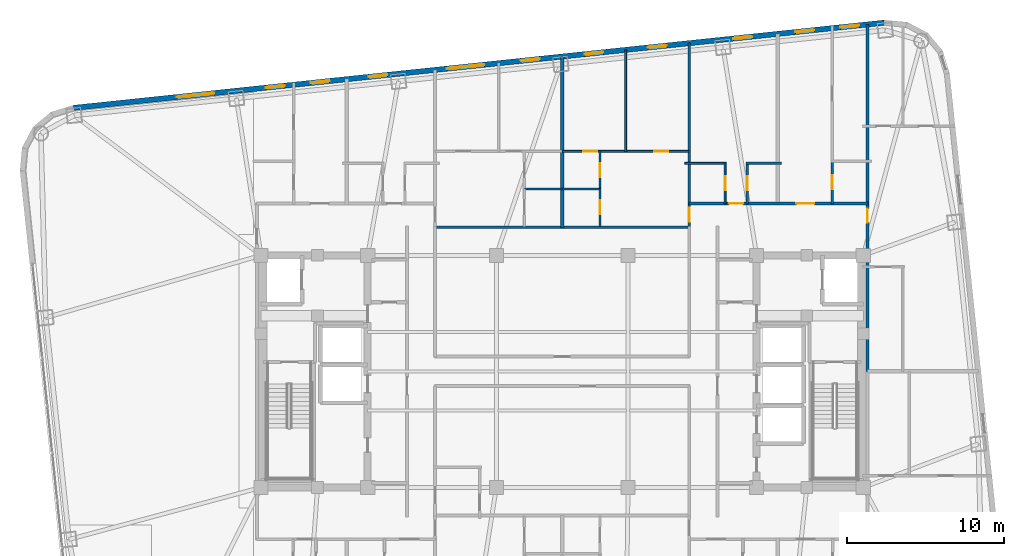
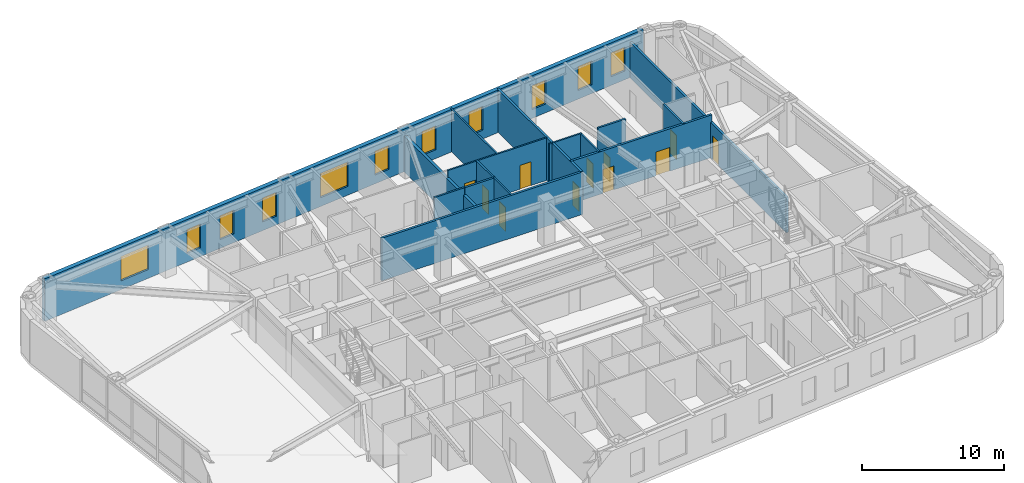
# One storey, part 11 of 15: 17 walls, 11 doors, 11 windows, 22 openings.
"""IFC4 building model written with IfcOpenShell, lengths in metres."""

from ifc_helpers import new_model, si_unit, direction, frame, frame_2d, origin, place, context, subcontext, project, spatial, rectangle, extrude, material, layer, layer_set, type_object, element, fill, save


model = new_model("IFC4")

# Units and contexts
model_context = context("Model", 3, precision=1e-05, world=origin(), true_north=direction((0.0, 1.0)))
body_context = subcontext(model_context, "Body", "Model", "MODEL_VIEW")
ifc_project = project(units=[si_unit("LENGTHUNIT", "METRE"), si_unit("AREAUNIT", "SQUARE_METRE"), si_unit("VOLUMEUNIT", "CUBIC_METRE"), si_unit("PLANEANGLEUNIT", "RADIAN"), si_unit("MASSUNIT", "GRAM", prefix="KILO")], contexts=[model_context])

# Site, building, storey
site_placement = place(None, origin())
site = spatial("IfcSite", under=ifc_project, at=site_placement, CompositionType="ELEMENT")
building_placement = place(site_placement, origin())
building = spatial("IfcBuilding", under=site, at=building_placement, Name="Voryun Gate Residences", CompositionType="ELEMENT")
storey_placement = place(building_placement, frame((0.0, 0.0, 148.199951171875)))
storey = spatial("IfcBuildingStorey", under=building, at=storey_placement, Name="L36", CompositionType="ELEMENT", Elevation=148.199951171875)

# Wall
ifc_material_1 = material(Name="Gypsum acoustic fireboard")
ifc_layer_1 = layer(ifc_material_1, 0.179931640625, Name="W_CORR_RATED_180")
ifc_layer_set_1 = layer_set([ifc_layer_1], Name="Gypsum acoustic fireboard")
wall_type_1 = type_object("IfcWallType", Name="W_CORR_RATED_180", PredefinedType="PARTITIONING", material=ifc_layer_set_1)
wall_1_placement = place(storey_placement, frame((-8.14990234375, 9.18994140625, 0.0), z_axis=(0.0, 0.0, 1.0), x_axis=(1.0, 0.0, 0.0)))
element("IfcWall", 1, at=wall_1_placement, inside=storey, type_object=wall_type_1, Name="Partition wall WP-L36-Z2N", PredefinedType="PARTITIONING", context=body_context, shape_type="SweptSolid", body=[
    extrude(rectangle(XDim=16.2998046875, YDim=0.179931640625, at=frame_2d((8.14990234375, 0.0))), origin(), (0.0, 0.0, 1.0), 3.650146484375),
])

# Wall, openings, doors
wall_2_placement = place(storey_placement, frame((8.080078125, 10.699951171875, 0.0), z_axis=(0.0, 0.0, 1.0), x_axis=(1.0, 0.0, 0.0)))
wall_2 = element("IfcWall", 2, at=wall_2_placement, inside=storey, type_object=wall_type_1, Name="Partition wall WP-L36-NCORR-E", PredefinedType="PARTITIONING", context=body_context, shape_type="SweptSolid", body=[
    extrude(rectangle(XDim=11.419921875, YDim=0.179931640625, at=frame_2d((5.7099609375, 0.0))), origin(), (0.0, 0.0, 1.0), 3.650146484375),
])
opening_1_placement = place(wall_2_placement, frame((2.5625, 0.0, 0.0)))
opening_1 = element("IfcOpeningElement", 3, at=opening_1_placement, cuts=wall_2, Name="Opening D-INT-2", PredefinedType="OPENING", context=body_context, shape_type="SweptSolid", body=[
    extrude(rectangle(XDim=0.89990234375, YDim=2.050048828125, at=frame_2d((0.449951171875, 1.02490234375))), frame((0.0, 0.099853515625, 0.0), z_axis=(0.0, -1.0, 0.0), x_axis=(1.0, 0.0, 0.0)), (0.0, 0.0, 1.0), 0.199951171875),
])
opening_2_placement = place(wall_2_placement, frame((6.8525390625, 0.0, 0.0)))
opening_2 = element("IfcOpeningElement", 4, at=opening_2_placement, cuts=wall_2, Name="Opening D-UNIT-1", PredefinedType="OPENING", context=body_context, shape_type="SweptSolid", body=[
    extrude(rectangle(XDim=1.14990234375, YDim=2.050048828125, at=frame_2d((0.574951171875, 1.02490234375))), frame((0.0, 0.099853515625, 0.0), z_axis=(0.0, -1.0, 0.0), x_axis=(1.0, 0.0, 0.0)), (0.0, 0.0, 1.0), 0.199951171875),
])
ifc_material_2 = material(Name="Architectural oak veneer")
door_type_1 = type_object("IfcDoorType", Name="DR_INT_BATH_900", OperationType="NOTDEFINED", PredefinedType="DOOR", material=ifc_material_2)
door_1_placement = place(opening_1_placement, origin())
door_1 = element("IfcDoor", 5, at=door_1_placement, inside=storey, type_object=door_type_1, Name="Door DR-L36-NENT-4", OperationType="SINGLE_SWING_RIGHT", OverallHeight=2.050048828125, OverallWidth=0.89990234375, PredefinedType="DOOR", context=body_context, shape_type="SweptSolid", body=[
    extrude(rectangle(XDim=0.89990234375, YDim=2.050048828125, at=frame_2d((0.449951171875, 1.02490234375))), frame((0.0, 0.02490234375, 0.0), z_axis=(0.0, -1.0, 0.0), x_axis=(1.0, 0.0, 0.0)), (0.0, 0.0, 1.0), 0.050048828125),
])
fill(opening_1, door_1)
ifc_material_3 = material(Name="Armoured timber-clad fire door", Category="wood")
door_type_2 = type_object("IfcDoorType", Name="DR_UNIT_ENTRY_1150", OperationType="NOTDEFINED", PredefinedType="DOOR", material=ifc_material_3)
door_2_placement = place(opening_2_placement, origin())
door_2 = element("IfcDoor", 6, at=door_2_placement, inside=storey, type_object=door_type_2, Name="Door DR-L36-NENT-5", OperationType="SINGLE_SWING_LEFT", OverallHeight=2.050048828125, OverallWidth=1.14990234375, PredefinedType="DOOR", context=body_context, shape_type="SweptSolid", body=[
    extrude(rectangle(XDim=1.14990234375, YDim=2.050048828125, at=frame_2d((0.574951171875, 1.02490234375))), frame((0.0, 0.02490234375, 0.0), z_axis=(0.0, -1.0, 0.0), x_axis=(1.0, 0.0, 0.0)), (0.0, 0.0, 1.0), 0.050048828125),
])
fill(opening_2, door_2)

# Wall, opening, door
wall_3_placement = place(storey_placement, frame((8.10009765625, 9.18994140625, 0.0), z_axis=(0.0, 0.0, 1.0), x_axis=(0.0, 1.0, 0.0)))
wall_3 = element("IfcWall", 7, at=wall_3_placement, inside=storey, type_object=wall_type_1, Name="Partition wall WP-L36-NZV-2", PredefinedType="PARTITIONING", context=body_context, shape_type="SweptSolid", body=[
    extrude(rectangle(XDim=11.7392578125, YDim=0.179931640625, at=frame_2d((5.86962890625, 0.0))), origin(), (0.0, 0.0, 1.0), 3.650146484375),
])
opening_3_placement = place(wall_3_placement, frame((0.349365234375, 0.0, 0.0)))
opening_3 = element("IfcOpeningElement", 8, at=opening_3_placement, cuts=wall_3, Name="Opening D-INT-2", PredefinedType="OPENING", context=body_context, shape_type="SweptSolid", body=[
    extrude(rectangle(XDim=0.89990234375, YDim=2.050048828125, at=frame_2d((0.449951171875, 1.02490234375))), frame((0.0, 0.099853515625, 0.0), z_axis=(0.0, -1.0, 0.0), x_axis=(1.0, 0.0, 0.0)), (0.0, 0.0, 1.0), 0.199951171875),
])
door_3_placement = place(opening_3_placement, origin())
door_3 = element("IfcDoor", 9, at=door_3_placement, inside=storey, type_object=door_type_1, Name="Door DR-L36-NZENT-2", OperationType="SINGLE_SWING_RIGHT", OverallHeight=2.050048828125, OverallWidth=0.89990234375, PredefinedType="DOOR", context=body_context, shape_type="SweptSolid", body=[
    extrude(rectangle(XDim=0.89990234375, YDim=2.050048828125, at=frame_2d((0.449951171875, 1.02490234375))), frame((0.0, 0.02490234375, 0.0), z_axis=(0.0, -1.0, 0.0), x_axis=(1.0, 0.0, 0.0)), (0.0, 0.0, 1.0), 0.050048828125),
])
fill(opening_3, door_3)

wall_4_placement = place(storey_placement, frame((19.469970703125, 0.0, 0.0), z_axis=(0.0, 0.0, 1.0), x_axis=(0.0, 1.0, 0.0)))
wall_4 = element("IfcWall", 10, at=wall_4_placement, inside=storey, type_object=wall_type_1, Name="Partition wall WP-L36-ECOR2", PredefinedType="PARTITIONING", context=body_context, shape_type="SweptSolid", body=[
    extrude(rectangle(XDim=22.1240234375, YDim=0.179931640625, at=frame_2d((11.06201171875, 0.0))), origin(), (0.0, 0.0, 1.0), 3.0400390625),
])
opening_4_placement = place(wall_4_placement, frame((9.479248046875, 0.0, 0.0)))
opening_4 = element("IfcOpeningElement", 11, at=opening_4_placement, cuts=wall_4, Name="Opening D-INT-2", PredefinedType="OPENING", context=body_context, shape_type="SweptSolid", body=[
    extrude(rectangle(XDim=0.89990234375, YDim=2.050048828125, at=frame_2d((0.449951171875, 1.02490234375))), frame((0.0, 0.099853515625, 0.0), z_axis=(0.0, -1.0, 0.0), x_axis=(1.0, 0.0, 0.0)), (0.0, 0.0, 1.0), 0.199951171875),
])
door_4_placement = place(opening_4_placement, origin())
door_4 = element("IfcDoor", 12, at=door_4_placement, inside=storey, type_object=door_type_1, Name="Door DR-L36-EE2", OperationType="SINGLE_SWING_RIGHT", OverallHeight=2.050048828125, OverallWidth=0.89990234375, PredefinedType="DOOR", context=body_context, shape_type="SweptSolid", body=[
    extrude(rectangle(XDim=0.89990234375, YDim=2.050048828125, at=frame_2d((0.449951171875, 1.02490234375))), frame((0.0, 0.02490234375, 0.0), z_axis=(0.0, -1.0, 0.0), x_axis=(1.0, 0.0, 0.0)), (0.0, 0.0, 1.0), 0.050048828125),
])
fill(opening_4, door_4)

# Wall, openings, windows
ifc_material_4 = material(Name="Charcoal terracotta masonry", Category="masonry")
ifc_layer_2 = layer(ifc_material_4, 0.340087890625, Name="W_EXT_TERRACOTTA_340")
ifc_layer_set_2 = layer_set([ifc_layer_2], Name="Charcoal terracotta masonry")
wall_type_2 = type_object("IfcWallType", Name="W_EXT_TERRACOTTA_340", PredefinedType="ELEMENTEDWALL", material=ifc_layer_set_2)
wall_5_placement = place(storey_placement, frame((-31.155517578125, 16.80322265625, 0.0), z_axis=(0.0, 0.0, 1.0), x_axis=(0.99452209583, 0.104526555986, 0.0)))
wall_5 = element("IfcWall", 13, at=wall_5_placement, inside=storey, type_object=wall_type_2, Name="Exterior wall WEXT-L36-11", PredefinedType="ELEMENTEDWALL", context=body_context, shape_type="SweptSolid", body=[
    extrude(rectangle(XDim=51.966552734375, YDim=0.340087890625, at=frame_2d((25.9833984375, 0.0))), origin(), (0.0, 0.0, 1.0), 3.650146484375),
])
opening_5_placement = place(wall_5_placement, frame((6.611083984375, 0.0, 0.75)))
opening_5 = element("IfcOpeningElement", 14, at=opening_5_placement, cuts=wall_5, Name="Opening WN2", PredefinedType="OPENING", context=body_context, shape_type="SweptSolid", body=[
    extrude(rectangle(XDim=2.39990234375, YDim=2.10009765625, at=frame_2d((1.199951171875, 1.050048828125))), frame((0.0, 0.179931640625, 0.0), z_axis=(0.0, -1.0, 0.0), x_axis=(1.0, 0.0, 0.0)), (0.0, 0.0, 1.0), 0.360107421875),
])
opening_6_placement = place(wall_5_placement, frame((23.93310546875, 0.0, 0.75)))
opening_6 = element("IfcOpeningElement", 15, at=opening_6_placement, cuts=wall_5, Name="Opening WN2", PredefinedType="OPENING", context=body_context, shape_type="SweptSolid", body=[
    extrude(rectangle(XDim=2.39990234375, YDim=2.10009765625, at=frame_2d((1.199951171875, 1.050048828125))), frame((0.0, 0.179931640625, 0.0), z_axis=(0.0, -1.0, 0.0), x_axis=(1.0, 0.0, 0.0)), (0.0, 0.0, 1.0), 0.360107421875),
])
opening_7_placement = place(wall_5_placement, frame((15.209228515625, 0.0, 0.75)))
opening_7 = element("IfcOpeningElement", 16, at=opening_7_placement, cuts=wall_5, Name="Opening WN6", PredefinedType="OPENING", context=body_context, shape_type="SweptSolid", body=[
    extrude(rectangle(XDim=1.199951171875, YDim=2.050048828125, at=frame_2d((0.60009765625, 1.02490234375))), frame((0.0, 0.179931640625, 0.0), z_axis=(0.0, -1.0, 0.0), x_axis=(1.0, 0.0, 0.0)), (0.0, 0.0, 1.0), 0.360107421875),
])
opening_8_placement = place(wall_5_placement, frame((12.33349609375, 0.0, 0.75)))
opening_8 = element("IfcOpeningElement", 17, at=opening_8_placement, cuts=wall_5, Name="Opening WN6", PredefinedType="OPENING", context=body_context, shape_type="SweptSolid", body=[
    extrude(rectangle(XDim=1.199951171875, YDim=2.050048828125, at=frame_2d((0.60009765625, 1.02490234375))), frame((0.0, 0.179931640625, 0.0), z_axis=(0.0, -1.0, 0.0), x_axis=(1.0, 0.0, 0.0)), (0.0, 0.0, 1.0), 0.360107421875),
])
opening_9_placement = place(wall_5_placement, frame((18.914794921875, 0.0, 0.75)))
opening_9 = element("IfcOpeningElement", 18, at=opening_9_placement, cuts=wall_5, Name="Opening WN6", PredefinedType="OPENING", context=body_context, shape_type="SweptSolid", body=[
    extrude(rectangle(XDim=1.199951171875, YDim=2.050048828125, at=frame_2d((0.60009765625, 1.02490234375))), frame((0.0, 0.179931640625, 0.0), z_axis=(0.0, -1.0, 0.0), x_axis=(1.0, 0.0, 0.0)), (0.0, 0.0, 1.0), 0.360107421875),
])
opening_10_placement = place(wall_5_placement, frame((42.294921875, 0.0, 0.75)))
opening_10 = element("IfcOpeningElement", 19, at=opening_10_placement, cuts=wall_5, Name="Opening WN6", PredefinedType="OPENING", context=body_context, shape_type="SweptSolid", body=[
    extrude(rectangle(XDim=1.199951171875, YDim=2.050048828125, at=frame_2d((0.60009765625, 1.02490234375))), frame((0.0, 0.179931640625, 0.0), z_axis=(0.0, -1.0, 0.0), x_axis=(1.0, 0.0, 0.0)), (0.0, 0.0, 1.0), 0.360107421875),
])
opening_11_placement = place(wall_5_placement, frame((46.2880859375, 0.0, 0.75)))
opening_11 = element("IfcOpeningElement", 20, at=opening_11_placement, cuts=wall_5, Name="Opening WN6", PredefinedType="OPENING", context=body_context, shape_type="SweptSolid", body=[
    extrude(rectangle(XDim=1.199951171875, YDim=2.050048828125, at=frame_2d((0.60009765625, 1.02490234375))), frame((0.0, 0.179931640625, 0.0), z_axis=(0.0, -1.0, 0.0), x_axis=(1.0, 0.0, 0.0)), (0.0, 0.0, 1.0), 0.360107421875),
])
opening_12_placement = place(wall_5_placement, frame((49.163818359375, 0.0, 0.75)))
opening_12 = element("IfcOpeningElement", 21, at=opening_12_placement, cuts=wall_5, Name="Opening WN6", PredefinedType="OPENING", context=body_context, shape_type="SweptSolid", body=[
    extrude(rectangle(XDim=1.199951171875, YDim=2.050048828125, at=frame_2d((0.60009765625, 1.02490234375))), frame((0.0, 0.179931640625, 0.0), z_axis=(0.0, -1.0, 0.0), x_axis=(1.0, 0.0, 0.0)), (0.0, 0.0, 1.0), 0.360107421875),
])
opening_13_placement = place(wall_5_placement, frame((28.68359375, 0.0, 0.75)))
opening_13 = element("IfcOpeningElement", 22, at=opening_13_placement, cuts=wall_5, Name="Opening WN6", PredefinedType="OPENING", context=body_context, shape_type="SweptSolid", body=[
    extrude(rectangle(XDim=1.199951171875, YDim=2.050048828125, at=frame_2d((0.60009765625, 1.02490234375))), frame((0.0, 0.179931640625, 0.0), z_axis=(0.0, -1.0, 0.0), x_axis=(1.0, 0.0, 0.0)), (0.0, 0.0, 1.0), 0.360107421875),
])
opening_14_placement = place(wall_5_placement, frame((32.76611328125, 0.0, 0.75)))
opening_14 = element("IfcOpeningElement", 23, at=opening_14_placement, cuts=wall_5, Name="Opening WN6", PredefinedType="OPENING", context=body_context, shape_type="SweptSolid", body=[
    extrude(rectangle(XDim=1.199951171875, YDim=2.050048828125, at=frame_2d((0.60009765625, 1.02490234375))), frame((0.0, 0.179931640625, 0.0), z_axis=(0.0, -1.0, 0.0), x_axis=(1.0, 0.0, 0.0)), (0.0, 0.0, 1.0), 0.360107421875),
])
opening_15_placement = place(wall_5_placement, frame((36.828369140625, 0.0, 0.75)))
opening_15 = element("IfcOpeningElement", 24, at=opening_15_placement, cuts=wall_5, Name="Opening WN6", PredefinedType="OPENING", context=body_context, shape_type="SweptSolid", body=[
    extrude(rectangle(XDim=1.199951171875, YDim=2.050048828125, at=frame_2d((0.60009765625, 1.02490234375))), frame((0.0, 0.179931640625, 0.0), z_axis=(0.0, -1.0, 0.0), x_axis=(1.0, 0.0, 0.0)), (0.0, 0.0, 1.0), 0.360107421875),
])
ifc_material_5 = material(Name="Laminated low-E glass", Category="glass")
window_type_1 = type_object("IfcWindowType", Name="WN_POD_SLOT_1200", PartitioningType="SINGLE_PANEL", PredefinedType="WINDOW", material=ifc_material_5)
window_1_placement = place(opening_7_placement, origin())
window_1 = element("IfcWindow", 25, at=window_1_placement, inside=storey, type_object=window_type_1, Name="Window WN-L36-DWFIX-01", OverallHeight=2.050048828125, OverallWidth=1.199951171875, PartitioningType="SINGLE_PANEL", PredefinedType="WINDOW", context=body_context, shape_type="SweptSolid", body=[
    extrude(rectangle(XDim=1.199951171875, YDim=2.050048828125, at=frame_2d((0.60009765625, 1.02490234375))), frame((0.0, 0.030029296875, 0.0), z_axis=(0.0, -1.0, 0.0), x_axis=(1.0, 0.0, 0.0)), (0.0, 0.0, 1.0), 0.06005859375),
])
fill(opening_7, window_1)
window_2_placement = place(opening_8_placement, origin())
window_2 = element("IfcWindow", 26, at=window_2_placement, inside=storey, type_object=window_type_1, Name="Window WN-L36-DWFIX-02", OverallHeight=2.050048828125, OverallWidth=1.199951171875, PartitioningType="SINGLE_PANEL", PredefinedType="WINDOW", context=body_context, shape_type="SweptSolid", body=[
    extrude(rectangle(XDim=1.199951171875, YDim=2.050048828125, at=frame_2d((0.60009765625, 1.02490234375))), frame((0.0, 0.030029296875, 0.0), z_axis=(0.0, -1.0, 0.0), x_axis=(1.0, 0.0, 0.0)), (0.0, 0.0, 1.0), 0.06005859375),
])
fill(opening_8, window_2)
window_3_placement = place(opening_9_placement, origin())
window_3 = element("IfcWindow", 27, at=window_3_placement, inside=storey, type_object=window_type_1, Name="Window WN-L36-DWFIX-03", OverallHeight=2.050048828125, OverallWidth=1.199951171875, PartitioningType="SINGLE_PANEL", PredefinedType="WINDOW", context=body_context, shape_type="SweptSolid", body=[
    extrude(rectangle(XDim=1.199951171875, YDim=2.050048828125, at=frame_2d((0.60009765625, 1.02490234375))), frame((0.0, 0.030029296875, 0.0), z_axis=(0.0, -1.0, 0.0), x_axis=(1.0, 0.0, 0.0)), (0.0, 0.0, 1.0), 0.06005859375),
])
fill(opening_9, window_3)
window_4_placement = place(opening_10_placement, origin())
window_4 = element("IfcWindow", 28, at=window_4_placement, inside=storey, type_object=window_type_1, Name="Window WN-L36-DWFIX-04", OverallHeight=2.050048828125, OverallWidth=1.199951171875, PartitioningType="SINGLE_PANEL", PredefinedType="WINDOW", context=body_context, shape_type="SweptSolid", body=[
    extrude(rectangle(XDim=1.199951171875, YDim=2.050048828125, at=frame_2d((0.60009765625, 1.02490234375))), frame((0.0, 0.030029296875, 0.0), z_axis=(0.0, -1.0, 0.0), x_axis=(1.0, 0.0, 0.0)), (0.0, 0.0, 1.0), 0.06005859375),
])
fill(opening_10, window_4)
window_5_placement = place(opening_11_placement, origin())
window_5 = element("IfcWindow", 29, at=window_5_placement, inside=storey, type_object=window_type_1, Name="Window WN-L36-DWFIX-05", OverallHeight=2.050048828125, OverallWidth=1.199951171875, PartitioningType="SINGLE_PANEL", PredefinedType="WINDOW", context=body_context, shape_type="SweptSolid", body=[
    extrude(rectangle(XDim=1.199951171875, YDim=2.050048828125, at=frame_2d((0.60009765625, 1.02490234375))), frame((0.0, 0.030029296875, 0.0), z_axis=(0.0, -1.0, 0.0), x_axis=(1.0, 0.0, 0.0)), (0.0, 0.0, 1.0), 0.06005859375),
])
fill(opening_11, window_5)
window_6_placement = place(opening_12_placement, origin())
window_6 = element("IfcWindow", 30, at=window_6_placement, inside=storey, type_object=window_type_1, Name="Window WN-L36-DWFIX-06", OverallHeight=2.050048828125, OverallWidth=1.199951171875, PartitioningType="SINGLE_PANEL", PredefinedType="WINDOW", context=body_context, shape_type="SweptSolid", body=[
    extrude(rectangle(XDim=1.199951171875, YDim=2.050048828125, at=frame_2d((0.60009765625, 1.02490234375))), frame((0.0, 0.030029296875, 0.0), z_axis=(0.0, -1.0, 0.0), x_axis=(1.0, 0.0, 0.0)), (0.0, 0.0, 1.0), 0.06005859375),
])
fill(opening_12, window_6)
window_7_placement = place(opening_13_placement, origin())
window_7 = element("IfcWindow", 31, at=window_7_placement, inside=storey, type_object=window_type_1, Name="Window WN-L36-DWFIX-07", OverallHeight=2.050048828125, OverallWidth=1.199951171875, PartitioningType="SINGLE_PANEL", PredefinedType="WINDOW", context=body_context, shape_type="SweptSolid", body=[
    extrude(rectangle(XDim=1.199951171875, YDim=2.050048828125, at=frame_2d((0.60009765625, 1.02490234375))), frame((0.0, 0.030029296875, 0.0), z_axis=(0.0, -1.0, 0.0), x_axis=(1.0, 0.0, 0.0)), (0.0, 0.0, 1.0), 0.06005859375),
])
fill(opening_13, window_7)
window_8_placement = place(opening_14_placement, origin())
window_8 = element("IfcWindow", 32, at=window_8_placement, inside=storey, type_object=window_type_1, Name="Window WN-L36-DWFIX-08", OverallHeight=2.050048828125, OverallWidth=1.199951171875, PartitioningType="SINGLE_PANEL", PredefinedType="WINDOW", context=body_context, shape_type="SweptSolid", body=[
    extrude(rectangle(XDim=1.199951171875, YDim=2.050048828125, at=frame_2d((0.60009765625, 1.02490234375))), frame((0.0, 0.030029296875, 0.0), z_axis=(0.0, -1.0, 0.0), x_axis=(1.0, 0.0, 0.0)), (0.0, 0.0, 1.0), 0.06005859375),
])
fill(opening_14, window_8)
window_9_placement = place(opening_15_placement, origin())
window_9 = element("IfcWindow", 33, at=window_9_placement, inside=storey, type_object=window_type_1, Name="Window WN-L36-DWFIX-09", OverallHeight=2.050048828125, OverallWidth=1.199951171875, PartitioningType="SINGLE_PANEL", PredefinedType="WINDOW", context=body_context, shape_type="SweptSolid", body=[
    extrude(rectangle(XDim=1.199951171875, YDim=2.050048828125, at=frame_2d((0.60009765625, 1.02490234375))), frame((0.0, 0.030029296875, 0.0), z_axis=(0.0, -1.0, 0.0), x_axis=(1.0, 0.0, 0.0)), (0.0, 0.0, 1.0), 0.06005859375),
])
fill(opening_15, window_9)
ifc_material_6 = material(Name="Laminated low-E glass", Category="glass")
window_type_2 = type_object("IfcWindowType", Name="WN_RES_WIDE_2400", PartitioningType="SINGLE_PANEL", PredefinedType="WINDOW", material=ifc_material_6)
window_10_placement = place(opening_5_placement, origin())
window_10 = element("IfcWindow", 34, at=window_10_placement, inside=storey, type_object=window_type_2, Name="Window WN-WEXT-L36-11-01", OverallHeight=2.10009765625, OverallWidth=2.39990234375, PartitioningType="SINGLE_PANEL", PredefinedType="WINDOW", context=body_context, shape_type="SweptSolid", body=[
    extrude(rectangle(XDim=2.39990234375, YDim=2.10009765625, at=frame_2d((1.199951171875, 1.050048828125))), frame((0.0, 0.030029296875, 0.0), z_axis=(0.0, -1.0, 0.0), x_axis=(1.0, 0.0, 0.0)), (0.0, 0.0, 1.0), 0.06005859375),
])
fill(opening_5, window_10)
window_11_placement = place(opening_6_placement, origin())
window_11 = element("IfcWindow", 35, at=window_11_placement, inside=storey, type_object=window_type_2, Name="Window WN-WEXT-L36-11-02", OverallHeight=2.10009765625, OverallWidth=2.39990234375, PartitioningType="SINGLE_PANEL", PredefinedType="WINDOW", context=body_context, shape_type="SweptSolid", body=[
    extrude(rectangle(XDim=2.39990234375, YDim=2.10009765625, at=frame_2d((1.199951171875, 1.050048828125))), frame((0.0, 0.030029296875, 0.0), z_axis=(0.0, -1.0, 0.0), x_axis=(1.0, 0.0, 0.0)), (0.0, 0.0, 1.0), 0.06005859375),
])
fill(opening_6, window_11)

# Wall
ifc_material_7 = material(Name="Concrete C40/50", Category="concrete")
ifc_layer_3 = layer(ifc_material_7, 0.219970703125, Name="W_PARTY_ACOUSTIC_220")
ifc_layer_set_3 = layer_set([ifc_layer_3], Name="Concrete C40/50")
wall_type_3 = type_object("IfcWallType", Name="W_PARTY_ACOUSTIC_220", PredefinedType="PARTITIONING", material=ifc_layer_set_3)
wall_6_placement = place(storey_placement, frame((0.0, 9.18994140625, 0.0), z_axis=(0.0, 0.0, 1.0), x_axis=(0.0, 1.0, 0.0)))
element("IfcWall", 36, at=wall_6_placement, inside=storey, type_object=wall_type_3, Name="Partition wall WP-L36-NZMID", PredefinedType="PARTITIONING", context=body_context, shape_type="SweptSolid", body=[
    extrude(rectangle(XDim=10.887939453125, YDim=0.219970703125, at=frame_2d((5.44384765625, 0.0))), origin(), (0.0, 0.0, 1.0), 3.0400390625),
])

# Wall, opening, door
ifc_material_8 = material(Name="Gypsum acoustic partition")
ifc_layer_4 = layer(ifc_material_8, 0.125, Name="W_UNIT_PART_125")
ifc_layer_set_4 = layer_set([ifc_layer_4], Name="Gypsum acoustic partition")
wall_type_4 = type_object("IfcWallType", Name="W_UNIT_PART_125", PredefinedType="PARTITIONING", material=ifc_layer_set_4)
wall_7_placement = place(storey_placement, frame((10.389892578125, 10.679931640625, 0.0), z_axis=(0.0, 0.0, 1.0), x_axis=(0.0, 1.0, 0.0)))
wall_7 = element("IfcWall", 37, at=wall_7_placement, inside=storey, type_object=wall_type_4, Name="Partition wall WP-L36-N4-CVK", PredefinedType="PARTITIONING", context=body_context, shape_type="SweptSolid", body=[
    extrude(rectangle(XDim=2.650146484375, YDim=0.125, at=frame_2d((1.3251953125, 0.0))), origin(), (0.0, 0.0, 1.0), 3.650146484375),
])
opening_16_placement = place(wall_7_placement, frame((0.875, 0.0, 0.0)))
opening_16 = element("IfcOpeningElement", 38, at=opening_16_placement, cuts=wall_7, Name="Opening D-INT-2", PredefinedType="OPENING", context=body_context, shape_type="SweptSolid", body=[
    extrude(rectangle(XDim=0.89990234375, YDim=2.050048828125, at=frame_2d((0.449951171875, 1.02490234375))), frame((0.0, 0.072509765625, 0.0), z_axis=(0.0, -1.0, 0.0), x_axis=(1.0, 0.0, 0.0)), (0.0, 0.0, 1.0), 0.14501953125),
])
door_5_placement = place(opening_16_placement, origin())
door_5 = element("IfcDoor", 39, at=door_5_placement, inside=storey, type_object=door_type_1, Name="Door DR-L36-N4-DK", OperationType="SINGLE_SWING_LEFT", OverallHeight=2.050048828125, OverallWidth=0.89990234375, PredefinedType="DOOR", context=body_context, shape_type="SweptSolid", body=[
    extrude(rectangle(XDim=0.89990234375, YDim=2.050048828125, at=frame_2d((0.449951171875, 1.02490234375))), frame((0.0, 0.02490234375, 0.0), z_axis=(0.0, -1.0, 0.0), x_axis=(1.0, 0.0, 0.0)), (0.0, 0.0, 1.0), 0.050048828125),
])
fill(opening_16, door_5)

# Wall
wall_8_placement = place(storey_placement, frame((7.820068359375, 13.27001953125, 0.0), z_axis=(0.0, 0.0, 1.0), x_axis=(1.0, 0.0, 0.0)))
element("IfcWall", 40, at=wall_8_placement, inside=storey, type_object=wall_type_4, Name="Partition wall WP-L36-N4-CHK", PredefinedType="PARTITIONING", context=body_context, shape_type="SweptSolid", body=[
    extrude(rectangle(XDim=2.6298828125, YDim=0.125, at=frame_2d((1.31494140625, 0.0))), origin(), (0.0, 0.0, 1.0), 3.650146484375),
])

# Wall, openings, doors
wall_9_placement = place(storey_placement, frame((0.02001953125, 14.030029296875, 0.0), z_axis=(0.0, 0.0, 1.0), x_axis=(1.0, 0.0, 0.0)))
wall_9 = element("IfcWall", 41, at=wall_9_placement, inside=storey, type_object=wall_type_4, Name="Partition wall WP-L36-NC2-HZ", PredefinedType="PARTITIONING", context=body_context, shape_type="SweptSolid", body=[
    extrude(rectangle(XDim=8.06005859375, YDim=0.125, at=frame_2d((4.030029296875, 0.0))), origin(), (0.0, 0.0, 1.0), 3.650146484375),
])
opening_17_placement = place(wall_9_placement, frame((1.3232421875, 0.0, 0.0)))
opening_17 = element("IfcOpeningElement", 42, at=opening_17_placement, cuts=wall_9, Name="Opening D-INT-2", PredefinedType="OPENING", context=body_context, shape_type="SweptSolid", body=[
    extrude(rectangle(XDim=0.89990234375, YDim=2.050048828125, at=frame_2d((0.449951171875, 1.02490234375))), frame((0.0, 0.072509765625, 0.0), z_axis=(0.0, -1.0, 0.0), x_axis=(1.0, 0.0, 0.0)), (0.0, 0.0, 1.0), 0.14501953125),
])
opening_18_placement = place(wall_9_placement, frame((5.8369140625, 0.0, 0.0)))
opening_18 = element("IfcOpeningElement", 43, at=opening_18_placement, cuts=wall_9, Name="Opening D-INT-2", PredefinedType="OPENING", context=body_context, shape_type="SweptSolid", body=[
    extrude(rectangle(XDim=0.89990234375, YDim=2.050048828125, at=frame_2d((0.449951171875, 1.02490234375))), frame((0.0, 0.072509765625, 0.0), z_axis=(0.0, -1.0, 0.0), x_axis=(1.0, 0.0, 0.0)), (0.0, 0.0, 1.0), 0.14501953125),
])
door_6_placement = place(opening_17_placement, origin())
door_6 = element("IfcDoor", 44, at=door_6_placement, inside=storey, type_object=door_type_1, Name="Door DR-L36-NC2-DMB", OperationType="SINGLE_SWING_LEFT", OverallHeight=2.050048828125, OverallWidth=0.89990234375, PredefinedType="DOOR", context=body_context, shape_type="SweptSolid", body=[
    extrude(rectangle(XDim=0.89990234375, YDim=2.050048828125, at=frame_2d((0.449951171875, 1.02490234375))), frame((0.0, 0.02490234375, 0.0), z_axis=(0.0, -1.0, 0.0), x_axis=(1.0, 0.0, 0.0)), (0.0, 0.0, 1.0), 0.050048828125),
])
fill(opening_17, door_6)
door_7_placement = place(opening_18_placement, origin())
door_7 = element("IfcDoor", 45, at=door_7_placement, inside=storey, type_object=door_type_1, Name="Door DR-L36-NC2-DBD2", OperationType="SINGLE_SWING_RIGHT", OverallHeight=2.050048828125, OverallWidth=0.89990234375, PredefinedType="DOOR", context=body_context, shape_type="SweptSolid", body=[
    extrude(rectangle(XDim=0.89990234375, YDim=2.050048828125, at=frame_2d((0.449951171875, 1.02490234375))), frame((0.0, 0.02490234375, 0.0), z_axis=(0.0, -1.0, 0.0), x_axis=(1.0, 0.0, 0.0)), (0.0, 0.0, 1.0), 0.050048828125),
])
fill(opening_18, door_7)

# Wall, opening, door
wall_10_placement = place(storey_placement, frame((2.409912109375, 9.25, 0.0), z_axis=(0.0, 0.0, 1.0), x_axis=(0.0, 1.0, 0.0)))
wall_10 = element("IfcWall", 46, at=wall_10_placement, inside=storey, type_object=wall_type_4, Name="Partition wall WP-L36-NC2-VK1", PredefinedType="PARTITIONING", context=body_context, shape_type="SweptSolid", body=[
    extrude(rectangle(XDim=2.409912109375, YDim=0.125, at=frame_2d((1.205078125, 0.0))), origin(), (0.0, 0.0, 1.0), 3.650146484375),
])
opening_19_placement = place(wall_10_placement, frame((0.7548828125, 0.0, 0.0)))
opening_19 = element("IfcOpeningElement", 47, at=opening_19_placement, cuts=wall_10, Name="Opening D-INT-2", PredefinedType="OPENING", context=body_context, shape_type="SweptSolid", body=[
    extrude(rectangle(XDim=0.89990234375, YDim=2.050048828125, at=frame_2d((0.449951171875, 1.02490234375))), frame((0.0, 0.072509765625, 0.0), z_axis=(0.0, -1.0, 0.0), x_axis=(1.0, 0.0, 0.0)), (0.0, 0.0, 1.0), 0.14501953125),
])
door_8_placement = place(opening_19_placement, origin())
door_8 = element("IfcDoor", 48, at=door_8_placement, inside=storey, type_object=door_type_1, Name="Door DR-L36-NC2-DK", OperationType="SINGLE_SWING_LEFT", OverallHeight=2.050048828125, OverallWidth=0.89990234375, PredefinedType="DOOR", context=body_context, shape_type="SweptSolid", body=[
    extrude(rectangle(XDim=0.89990234375, YDim=2.050048828125, at=frame_2d((0.449951171875, 1.02490234375))), frame((0.0, 0.02490234375, 0.0), z_axis=(0.0, -1.0, 0.0), x_axis=(1.0, 0.0, 0.0)), (0.0, 0.0, 1.0), 0.050048828125),
])
fill(opening_19, door_8)

# Wall
wall_11_placement = place(storey_placement, frame((4.050048828125, 13.989990234375, 0.0), z_axis=(0.0, 0.0, 1.0), x_axis=(0.0, 1.0, 0.0)))
element("IfcWall", 49, at=wall_11_placement, inside=storey, type_object=wall_type_4, Name="Partition wall WP-L36-NC2-VBD", PredefinedType="PARTITIONING", context=body_context, shape_type="SweptSolid", body=[
    extrude(rectangle(XDim=6.513427734375, YDim=0.125, at=frame_2d((3.2568359375, 0.0))), origin(), (0.0, 0.0, 1.0), 3.650146484375),
])

# Wall, opening, door
ifc_material_9 = material(Name="Gypsum moisture-resistant partition")
ifc_layer_5 = layer(ifc_material_9, 0.14990234375, Name="W_WET_PLUMB_150")
ifc_layer_set_5 = layer_set([ifc_layer_5], Name="Gypsum moisture-resistant partition")
wall_type_5 = type_object("IfcWallType", Name="W_WET_PLUMB_150", PredefinedType="PLUMBINGWALL", material=ifc_layer_set_5)
wall_12_placement = place(storey_placement, frame((11.7958984375, 10.679931640625, 0.0), z_axis=(0.0, 0.0, 1.0), x_axis=(0.0, 1.0, 0.0)))
wall_12 = element("IfcWall", 50, at=wall_12_placement, inside=storey, type_object=wall_type_5, Name="Partition wall WP-L36-N4-CVB", PredefinedType="PLUMBINGWALL", context=body_context, shape_type="SweptSolid", body=[
    extrude(rectangle(XDim=2.650146484375, YDim=0.14990234375, at=frame_2d((1.3251953125, 0.0))), origin(), (0.0, 0.0, 1.0), 3.0400390625),
])
opening_20_placement = place(wall_12_placement, frame((0.875, 0.0, 0.0)))
opening_20 = element("IfcOpeningElement", 51, at=opening_20_placement, cuts=wall_12, Name="Opening D-INT-2", PredefinedType="OPENING", context=body_context, shape_type="SweptSolid", body=[
    extrude(rectangle(XDim=0.89990234375, YDim=2.050048828125, at=frame_2d((0.449951171875, 1.02490234375))), frame((0.0, 0.0849609375, 0.0), z_axis=(0.0, -1.0, 0.0), x_axis=(1.0, 0.0, 0.0)), (0.0, 0.0, 1.0), 0.169921875),
])
door_9_placement = place(opening_20_placement, origin())
door_9 = element("IfcDoor", 52, at=door_9_placement, inside=storey, type_object=door_type_1, Name="Door DR-L36-N4-DB", OperationType="SINGLE_SWING_RIGHT", OverallHeight=2.050048828125, OverallWidth=0.89990234375, PredefinedType="DOOR", context=body_context, shape_type="SweptSolid", body=[
    extrude(rectangle(XDim=0.89990234375, YDim=2.050048828125, at=frame_2d((0.449951171875, 1.02490234375))), frame((0.0, 0.02490234375, 0.0), z_axis=(0.0, -1.0, 0.0), x_axis=(1.0, 0.0, 0.0)), (0.0, 0.0, 1.0), 0.050048828125),
])
fill(opening_20, door_9)

# Wall
wall_13_placement = place(storey_placement, frame((11.736083984375, 13.27001953125, 0.0), z_axis=(0.0, 0.0, 1.0), x_axis=(1.0, 0.0, 0.0)))
element("IfcWall", 53, at=wall_13_placement, inside=storey, type_object=wall_type_5, Name="Partition wall WP-L36-N4-CHB", PredefinedType="PLUMBINGWALL", context=body_context, shape_type="SweptSolid", body=[
    extrude(rectangle(XDim=2.263916015625, YDim=0.14990234375, at=frame_2d((1.1318359375, 0.0))), origin(), (0.0, 0.0, 1.0), 3.650146484375),
])

# Wall, opening, door
wall_14_placement = place(storey_placement, frame((17.216064453125, 10.679931640625, 0.0), z_axis=(0.0, 0.0, 1.0), x_axis=(0.0, 1.0, 0.0)))
wall_14 = element("IfcWall", 54, at=wall_14_placement, inside=storey, type_object=wall_type_5, Name="Partition wall WP-L36-N5-SVT1", PredefinedType="PLUMBINGWALL", context=body_context, shape_type="SweptSolid", body=[
    extrude(rectangle(XDim=2.760009765625, YDim=0.14990234375, at=frame_2d((1.3798828125, 0.0))), origin(), (0.0, 0.0, 1.0), 3.650146484375),
])
opening_21_placement = place(wall_14_placement, frame((0.929931640625, 0.0, 0.0)))
opening_21 = element("IfcOpeningElement", 55, at=opening_21_placement, cuts=wall_14, Name="Opening D-INT-2", PredefinedType="OPENING", context=body_context, shape_type="SweptSolid", body=[
    extrude(rectangle(XDim=0.89990234375, YDim=2.050048828125, at=frame_2d((0.449951171875, 1.02490234375))), frame((0.0, 0.0849609375, 0.0), z_axis=(0.0, -1.0, 0.0), x_axis=(1.0, 0.0, 0.0)), (0.0, 0.0, 1.0), 0.169921875),
])
door_10_placement = place(opening_21_placement, origin())
door_10 = element("IfcDoor", 56, at=door_10_placement, inside=storey, type_object=door_type_1, Name="Door DR-L36-N5-DB", OperationType="SINGLE_SWING_LEFT", OverallHeight=2.050048828125, OverallWidth=0.89990234375, PredefinedType="DOOR", context=body_context, shape_type="SweptSolid", body=[
    extrude(rectangle(XDim=0.89990234375, YDim=2.050048828125, at=frame_2d((0.449951171875, 1.02490234375))), frame((0.0, 0.02490234375, 0.0), z_axis=(0.0, -1.0, 0.0), x_axis=(1.0, 0.0, 0.0)), (0.0, 0.0, 1.0), 0.050048828125),
])
fill(opening_21, door_10)

# Wall
wall_15_placement = place(storey_placement, frame((-2.449951171875, 11.6298828125, 0.0), z_axis=(0.0, 0.0, 1.0), x_axis=(1.0, 0.0, 0.0)))
element("IfcWall", 57, at=wall_15_placement, inside=storey, type_object=wall_type_5, Name="Partition wall WP-L36-NC1-HKB", PredefinedType="PLUMBINGWALL", context=body_context, shape_type="SweptSolid", body=[
    extrude(rectangle(XDim=2.429931640625, YDim=0.14990234375, at=frame_2d((1.21484375, 0.0))), origin(), (0.0, 0.0, 1.0), 3.650146484375),
])

# Wall, opening, door
wall_16_placement = place(storey_placement, frame((2.409912109375, 11.60009765625, 0.0), z_axis=(0.0, 0.0, 1.0), x_axis=(0.0, 1.0, 0.0)))
wall_16 = element("IfcWall", 58, at=wall_16_placement, inside=storey, type_object=wall_type_5, Name="Partition wall WP-L36-NC2-VK2", PredefinedType="PLUMBINGWALL", context=body_context, shape_type="SweptSolid", body=[
    extrude(rectangle(XDim=2.469970703125, YDim=0.14990234375, at=frame_2d((1.23486328125, 0.0))), origin(), (0.0, 0.0, 1.0), 3.650146484375),
])
opening_22_placement = place(wall_16_placement, frame((0.784912109375, 0.0, 0.0)))
opening_22 = element("IfcOpeningElement", 59, at=opening_22_placement, cuts=wall_16, Name="Opening D-INT-2", PredefinedType="OPENING", context=body_context, shape_type="SweptSolid", body=[
    extrude(rectangle(XDim=0.89990234375, YDim=2.050048828125, at=frame_2d((0.449951171875, 1.02490234375))), frame((0.0, 0.0849609375, 0.0), z_axis=(0.0, -1.0, 0.0), x_axis=(1.0, 0.0, 0.0)), (0.0, 0.0, 1.0), 0.169921875),
])
door_11_placement = place(opening_22_placement, origin())
door_11 = element("IfcDoor", 60, at=door_11_placement, inside=storey, type_object=door_type_1, Name="Door DR-L36-NC2-DB", OperationType="SINGLE_SWING_RIGHT", OverallHeight=2.050048828125, OverallWidth=0.89990234375, PredefinedType="DOOR", context=body_context, shape_type="SweptSolid", body=[
    extrude(rectangle(XDim=0.89990234375, YDim=2.050048828125, at=frame_2d((0.449951171875, 1.02490234375))), frame((0.0, 0.02490234375, 0.0), z_axis=(0.0, -1.0, 0.0), x_axis=(1.0, 0.0, 0.0)), (0.0, 0.0, 1.0), 0.050048828125),
])
fill(opening_22, door_11)

# Wall
wall_17_placement = place(storey_placement, frame((0.02001953125, 11.6298828125, 0.0), z_axis=(0.0, 0.0, 1.0), x_axis=(1.0, 0.0, 0.0)))
element("IfcWall", 61, at=wall_17_placement, inside=storey, type_object=wall_type_5, Name="Partition wall WP-L36-NC2-HKB", PredefinedType="PLUMBINGWALL", context=body_context, shape_type="SweptSolid", body=[
    extrude(rectangle(XDim=2.429931640625, YDim=0.14990234375, at=frame_2d((1.21484375, 0.0))), origin(), (0.0, 0.0, 1.0), 3.650146484375),
])

save(model, "model.ifc")
